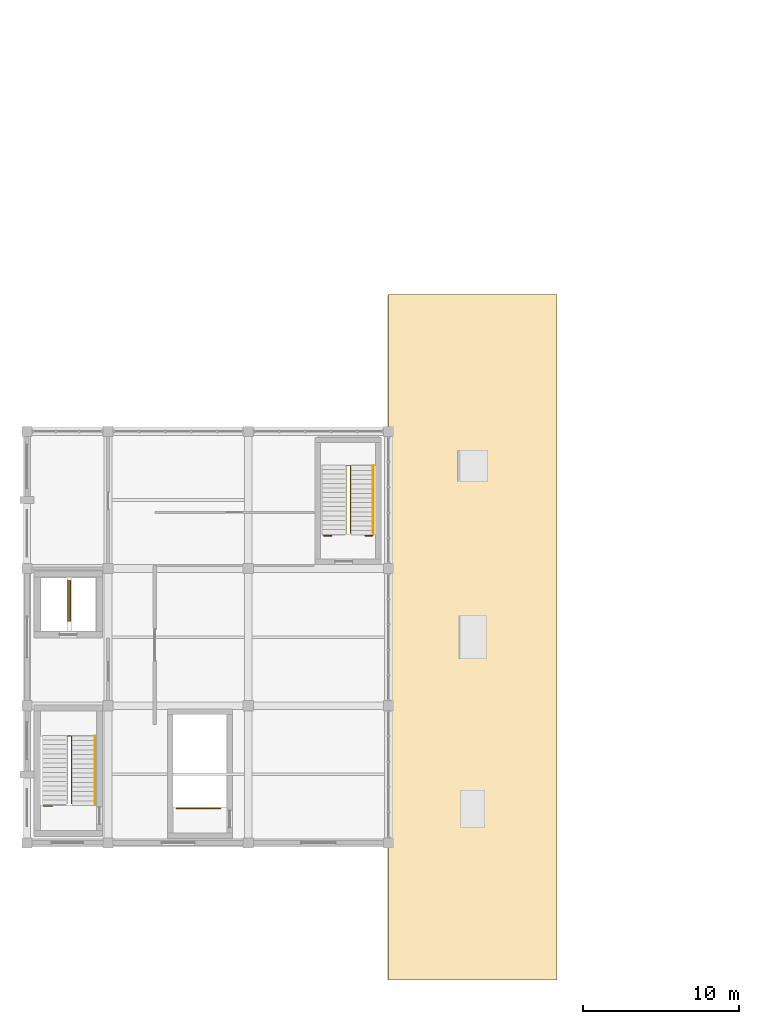
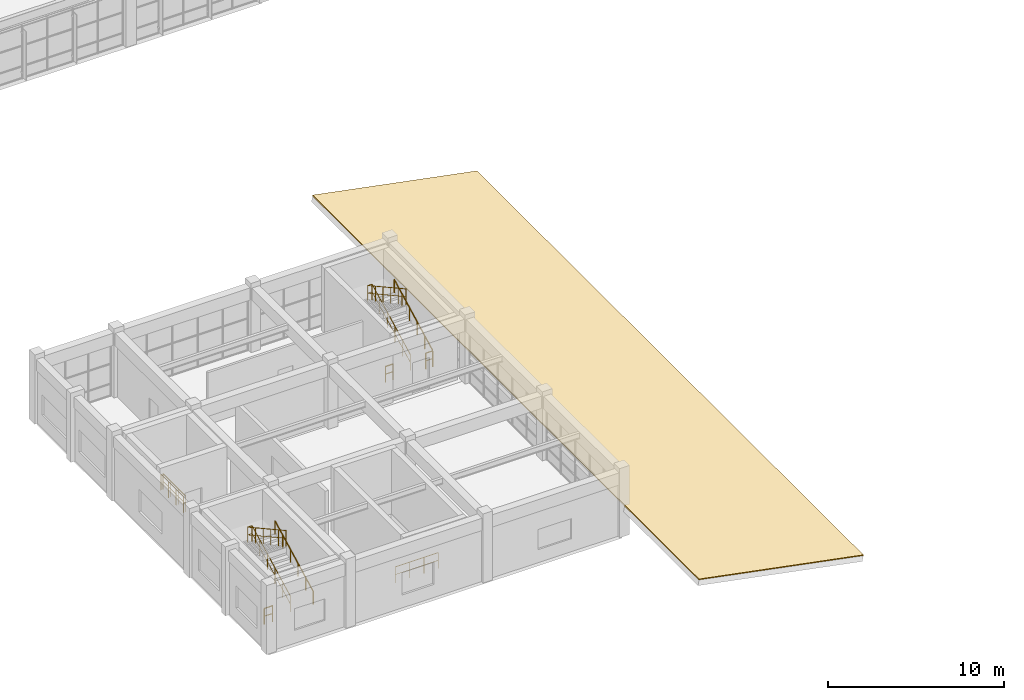
# One storey, part 92 of 99: 10 railings, 1 covering.
"""IFC4 building model written with IfcOpenShell, lengths in metres."""

from ifc_helpers import new_model, si_unit, direction, frame, origin, origin_2d, place, context, subcontext, project, spatial, polyline, circle, outline, extrude, material, layer, layer_set, type_object, element, save


model = new_model("IFC4")

# Units and contexts
model_context = context("Model", 3, precision=1e-05, world=origin(), true_north=direction((0.0, 1.0)))
body_context = subcontext(model_context, "Body", "Model", "MODEL_VIEW")
ifc_project = project(units=[si_unit("LENGTHUNIT", "METRE"), si_unit("AREAUNIT", "SQUARE_METRE"), si_unit("VOLUMEUNIT", "CUBIC_METRE"), si_unit("PLANEANGLEUNIT", "RADIAN"), si_unit("MASSUNIT", "GRAM", prefix="KILO")], contexts=[model_context])

# Site, building, storey
site_placement = place(None, origin())
site = spatial("IfcSite", under=ifc_project, at=site_placement, CompositionType="ELEMENT")
building_placement = place(site_placement, origin())
building = spatial("IfcBuilding", under=site, at=building_placement, Name="Ventoquebrada Cableway Terminal", CompositionType="ELEMENT")
storey_placement = place(building_placement, frame((0.0, 0.0, 9.60009765625)))
storey = spatial("IfcBuildingStorey", under=building, at=storey_placement, Name="L02", CompositionType="ELEMENT", Elevation=9.60009765625)

# Covering
ifc_material_1 = material(Name="Standing-seam zinc-titanium roofing")
ifc_layer = layer(ifc_material_1, 0.06005859375)
ifc_layer_set = layer_set([ifc_layer], Name="Standing-seam zinc-titanium roofing")
covering_type = type_object("IfcCoveringType", Name="COV-RF01", PredefinedType="ROOFING", material=ifc_layer_set)
covering_placement = place(storey_placement, frame((26.1884765625, 3.0, 2.10009765625), z_axis=(0.190791852358, 0.0, 0.981630515558), x_axis=(0.981630515558, 0.0, -0.190791852358)))
element("IfcCovering", 1, at=covering_placement, inside=storey, type_object=covering_type, Name="Standing-seam roof covering SL-104", PredefinedType="ROOFING", context=body_context, shape_type="SweptSolid", body=[
    extrude(outline(polyline([(0.0, 0.0), (11.00215270099949, 0.0), (11.00215270099949, 43.99999999999999), (0.0, 43.99999999999999), (0.0, 0.0)])), origin(), (0.0, 0.0, 1.0), 0.06005859375),
])

# Railings
ifc_material_2 = material(Name="Brushed stainless steel Grade 316", Category="steel")
railing_type_1 = type_object("IfcRailingType", Name="RL-GD01", PredefinedType="GUARDRAIL", material=ifc_material_2)
railing_1_placement = place(storey_placement, frame((5.860107421875, 14.300048828125, 0.14990234375)))
element("IfcRailing", 2, at=railing_1_placement, inside=storey, type_object=railing_type_1, Name="Stair well guardrail GR-S07", PredefinedType="GUARDRAIL", context=body_context, shape_type="SweptSolid", body=[
    extrude(circle(Radius=0.02392578125, at=origin_2d()), frame((0.0, 0.001708984375, 1.096923828125), z_axis=(0.0, 0.888211329745, 0.459435124596), x_axis=(-1.0, 0.0, 0.0)), (0.0, 0.0, 1.0), 4.893310546875),
    extrude(circle(Radius=0.01611328125, at=origin_2d()), frame((0.0, 0.001708984375, 0.56103515625), z_axis=(0.0, 0.888211329745, 0.459435124596), x_axis=(-1.0, 0.0, 0.0)), (0.0, 0.0, 1.0), 4.893310546875),
    extrude(circle(Radius=0.02392578125, at=origin_2d()), frame((-0.001953125, 4.349853515625, 3.34619140625), z_axis=(-1.0, 0.0, 0.0), x_axis=(0.0, -1.0, 0.0)), (0.0, 0.0, 1.0), 0.276123046875),
    extrude(circle(Radius=0.01611328125, at=origin_2d()), frame((-0.001953125, 4.349853515625, 2.81005859375), z_axis=(-1.0, 0.0, 0.0), x_axis=(0.0, -1.0, 0.0)), (0.0, 0.0, 1.0), 0.276123046875),
    extrude(circle(Radius=0.02392578125, at=origin_2d()), frame((-0.280029296875, 4.34814453125, 3.346923828125), z_axis=(0.0, -0.875579117544, 0.483074744652), x_axis=(1.0, 0.0, 0.0)), (0.0, 0.0, 1.0), 4.9638671875),
    extrude(circle(Radius=0.01611328125, at=origin_2d()), frame((-0.280029296875, 4.34814453125, 2.81103515625), z_axis=(0.0, -0.875579117544, 0.483074744652), x_axis=(1.0, 0.0, 0.0)), (0.0, 0.0, 1.0), 4.9638671875),
    extrude(circle(Radius=0.02099609375, at=origin_2d()), origin(), (0.0, 0.0, 1.0), 1.072021484375),
    extrude(circle(Radius=0.02099609375, at=origin_2d()), frame((0.0, 0.869873046875, 0.449951171875)), (0.0, 0.0, 1.0), 1.072021484375),
    extrude(circle(Radius=0.02099609375, at=origin_2d()), frame((0.0, 1.739990234375, 0.89990234375)), (0.0, 0.0, 1.0), 1.072021484375),
    extrude(circle(Radius=0.02099609375, at=origin_2d()), frame((0.0, 2.60986328125, 1.35009765625)), (0.0, 0.0, 1.0), 1.072021484375),
    extrude(circle(Radius=0.02099609375, at=origin_2d()), frame((0.0, 3.47998046875, 1.800048828125)), (0.0, 0.0, 1.0), 1.072021484375),
    extrude(circle(Radius=0.02099609375, at=origin_2d()), frame((0.0, 4.349853515625, 2.25)), (0.0, 0.0, 1.0), 1.072021484375),
    extrude(circle(Radius=0.02099609375, at=origin_2d()), frame((-0.280029296875, 4.349853515625, 2.25)), (0.0, 0.0, 1.0), 1.072021484375),
    extrude(circle(Radius=0.02099609375, at=origin_2d()), frame((-0.280029296875, 3.47998046875, 2.72998046875)), (0.0, 0.0, 1.0), 1.072021484375),
    extrude(circle(Radius=0.02099609375, at=origin_2d()), frame((-0.280029296875, 2.60986328125, 3.2099609375)), (0.0, 0.0, 1.0), 1.072021484375),
    extrude(circle(Radius=0.02099609375, at=origin_2d()), frame((-0.280029296875, 1.739990234375, 3.68994140625)), (0.0, 0.0, 1.0), 1.072021484375),
    extrude(circle(Radius=0.02099609375, at=origin_2d()), frame((-0.280029296875, 0.869873046875, 4.169921875)), (0.0, 0.0, 1.0), 1.072021484375),
    extrude(circle(Radius=0.02099609375, at=origin_2d()), frame((-0.280029296875, 0.0, 4.64990234375)), (0.0, 0.0, 1.0), 1.072021484375),
])
railing_2_placement = place(storey_placement, frame((23.760009765625, 31.64990234375, 0.14990234375)))
element("IfcRailing", 3, at=railing_2_placement, inside=storey, type_object=railing_type_1, Name="Stair well guardrail GR-S08", PredefinedType="GUARDRAIL", context=body_context, shape_type="SweptSolid", body=[
    extrude(circle(Radius=0.02392578125, at=origin_2d()), frame((0.0, 0.001708984375, 1.096923828125), z_axis=(0.0, 0.888221851817, 0.459414782038), x_axis=(-1.0, 0.0, 0.0)), (0.0, 0.0, 1.0), 4.8935546875),
    extrude(circle(Radius=0.01611328125, at=origin_2d()), frame((0.0, 0.001708984375, 0.56103515625), z_axis=(0.0, 0.888221851817, 0.459414782038), x_axis=(-1.0, 0.0, 0.0)), (0.0, 0.0, 1.0), 4.8935546875),
    extrude(circle(Radius=0.02392578125, at=origin_2d()), frame((-0.001953125, 4.35009765625, 3.34619140625), z_axis=(-1.0, 0.0, 0.0), x_axis=(0.0, -1.0, 0.0)), (0.0, 0.0, 1.0), 0.276123046875),
    extrude(circle(Radius=0.01611328125, at=origin_2d()), frame((-0.001953125, 4.35009765625, 2.81005859375), z_axis=(-1.0, 0.0, 0.0), x_axis=(0.0, -1.0, 0.0)), (0.0, 0.0, 1.0), 0.276123046875),
    extrude(circle(Radius=0.02392578125, at=origin_2d()), frame((-0.280029296875, 4.348388671875, 3.346923828125), z_axis=(0.0, -0.875590584852, 0.483053959428), x_axis=(1.0, 0.0, 0.0)), (0.0, 0.0, 1.0), 4.964111328125),
    extrude(circle(Radius=0.01611328125, at=origin_2d()), frame((-0.280029296875, 4.348388671875, 2.81103515625), z_axis=(0.0, -0.875590584852, 0.483053959428), x_axis=(1.0, 0.0, 0.0)), (0.0, 0.0, 1.0), 4.964111328125),
    extrude(circle(Radius=0.02099609375, at=origin_2d()), origin(), (0.0, 0.0, 1.0), 1.072021484375),
    extrude(circle(Radius=0.02099609375, at=origin_2d()), frame((0.0, 0.8701171875, 0.449951171875)), (0.0, 0.0, 1.0), 1.072021484375),
    extrude(circle(Radius=0.02099609375, at=origin_2d()), frame((0.0, 1.739990234375, 0.89990234375)), (0.0, 0.0, 1.0), 1.072021484375),
    extrude(circle(Radius=0.02099609375, at=origin_2d()), frame((0.0, 2.610107421875, 1.35009765625)), (0.0, 0.0, 1.0), 1.072021484375),
    extrude(circle(Radius=0.02099609375, at=origin_2d()), frame((0.0, 3.47998046875, 1.800048828125)), (0.0, 0.0, 1.0), 1.072021484375),
    extrude(circle(Radius=0.02099609375, at=origin_2d()), frame((0.0, 4.35009765625, 2.25)), (0.0, 0.0, 1.0), 1.072021484375),
    extrude(circle(Radius=0.02099609375, at=origin_2d()), frame((-0.280029296875, 4.35009765625, 2.25)), (0.0, 0.0, 1.0), 1.072021484375),
    extrude(circle(Radius=0.02099609375, at=origin_2d()), frame((-0.280029296875, 3.47998046875, 2.72998046875)), (0.0, 0.0, 1.0), 1.072021484375),
    extrude(circle(Radius=0.02099609375, at=origin_2d()), frame((-0.280029296875, 2.610107421875, 3.2099609375)), (0.0, 0.0, 1.0), 1.072021484375),
    extrude(circle(Radius=0.02099609375, at=origin_2d()), frame((-0.280029296875, 1.739990234375, 3.68994140625)), (0.0, 0.0, 1.0), 1.072021484375),
    extrude(circle(Radius=0.02099609375, at=origin_2d()), frame((-0.280029296875, 0.8701171875, 4.169921875)), (0.0, 0.0, 1.0), 1.072021484375),
    extrude(circle(Radius=0.02099609375, at=origin_2d()), frame((-0.280029296875, 0.0, 4.64990234375)), (0.0, 0.0, 1.0), 1.072021484375),
])
railing_3_placement = place(storey_placement, frame((22.044921875, 31.510009765625, 0.0)))
element("IfcRailing", 4, at=railing_3_placement, inside=storey, type_object=railing_type_1, Name="Open-edge guardrail GR-E119", PredefinedType="GUARDRAIL", context=body_context, shape_type="SweptSolid", body=[
    extrude(circle(Radius=0.02392578125, at=origin_2d()), frame((0.001953125, 0.0, 1.09619140625), z_axis=(1.0, 0.0, 0.0), x_axis=(0.0, 1.0, 0.0)), (0.0, 0.0, 1.0), 0.4912109375),
    extrude(circle(Radius=0.01611328125, at=origin_2d()), frame((0.001953125, 0.0, 0.56005859375), z_axis=(1.0, 0.0, 0.0), x_axis=(0.0, 1.0, 0.0)), (0.0, 0.0, 1.0), 0.4912109375),
    extrude(circle(Radius=0.02099609375, at=origin_2d()), origin(), (0.0, 0.0, 1.0), 1.072021484375),
    extrude(circle(Radius=0.02099609375, at=origin_2d()), frame((0.4951171875, 0.0, 0.0)), (0.0, 0.0, 1.0), 1.072021484375),
])
railing_4_placement = place(storey_placement, frame((24.699951171875, 31.510009765625, 0.0)))
element("IfcRailing", 5, at=railing_4_placement, inside=storey, type_object=railing_type_1, Name="Open-edge guardrail GR-E120", PredefinedType="GUARDRAIL", context=body_context, shape_type="SweptSolid", body=[
    extrude(circle(Radius=0.02392578125, at=origin_2d()), frame((0.001953125, 0.0, 1.09619140625), z_axis=(1.0, 0.0, 0.0), x_axis=(0.0, 1.0, 0.0)), (0.0, 0.0, 1.0), 0.451171875),
    extrude(circle(Radius=0.01611328125, at=origin_2d()), frame((0.001953125, 0.0, 0.56005859375), z_axis=(1.0, 0.0, 0.0), x_axis=(0.0, 1.0, 0.0)), (0.0, 0.0, 1.0), 0.451171875),
    extrude(circle(Radius=0.02099609375, at=origin_2d()), origin(), (0.0, 0.0, 1.0), 1.072021484375),
    extrude(circle(Radius=0.02099609375, at=origin_2d()), frame((0.455078125, 0.0, 0.0)), (0.0, 0.0, 1.0), 1.072021484375),
])
railing_5_placement = place(storey_placement, frame((12.594970703125, 14.010009765625, 0.0)))
element("IfcRailing", 6, at=railing_5_placement, inside=storey, type_object=railing_type_1, Name="Open-edge guardrail GR-E121", PredefinedType="GUARDRAIL", context=body_context, shape_type="SweptSolid", body=[
    extrude(circle(Radius=0.02392578125, at=origin_2d()), frame((0.001953125, 0.0, 1.09619140625), z_axis=(1.0, 0.0, 0.0), x_axis=(0.0, 1.0, 0.0)), (0.0, 0.0, 1.0), 2.818115234375),
    extrude(circle(Radius=0.01611328125, at=origin_2d()), frame((0.001953125, 0.0, 0.56005859375), z_axis=(1.0, 0.0, 0.0), x_axis=(0.0, 1.0, 0.0)), (0.0, 0.0, 1.0), 2.818115234375),
    extrude(circle(Radius=0.02099609375, at=origin_2d()), origin(), (0.0, 0.0, 1.0), 1.072021484375),
    extrude(circle(Radius=0.02099609375, at=origin_2d()), frame((0.940673828125, 0.0, 0.0)), (0.0, 0.0, 1.0), 1.072021484375),
    extrude(circle(Radius=0.02099609375, at=origin_2d()), frame((1.88134765625, 0.0, 0.0)), (0.0, 0.0, 1.0), 1.072021484375),
    extrude(circle(Radius=0.02099609375, at=origin_2d()), frame((2.822021484375, 0.0, 0.0)), (0.0, 0.0, 1.0), 1.072021484375),
])
railing_6_placement = place(storey_placement, frame((4.070068359375, 14.159912109375, 0.0)))
element("IfcRailing", 7, at=railing_6_placement, inside=storey, type_object=railing_type_1, Name="Open-edge guardrail GR-E122", PredefinedType="GUARDRAIL", context=body_context, shape_type="SweptSolid", body=[
    extrude(circle(Radius=0.02392578125, at=origin_2d()), frame((0.001953125, 0.0, 1.09619140625), z_axis=(1.0, 0.0, 0.0), x_axis=(0.0, 1.0, 0.0)), (0.0, 0.0, 1.0), 0.541015625),
    extrude(circle(Radius=0.01611328125, at=origin_2d()), frame((0.001953125, 0.0, 0.56005859375), z_axis=(1.0, 0.0, 0.0), x_axis=(0.0, 1.0, 0.0)), (0.0, 0.0, 1.0), 0.541015625),
    extrude(circle(Radius=0.02099609375, at=origin_2d()), origin(), (0.0, 0.0, 1.0), 1.072021484375),
    extrude(circle(Radius=0.02099609375, at=origin_2d()), frame((0.544921875, 0.0, 0.0)), (0.0, 0.0, 1.0), 1.072021484375),
])
railing_7_placement = place(storey_placement, frame((5.77001953125, 28.6298828125, 0.0)))
element("IfcRailing", 8, at=railing_7_placement, inside=storey, type_object=railing_type_1, Name="Open-edge guardrail GR-E123", PredefinedType="GUARDRAIL", context=body_context, shape_type="SweptSolid", body=[
    extrude(circle(Radius=0.02392578125, at=origin_2d()), frame((0.0, -0.001953125, 1.09619140625), z_axis=(0.0, -1.0, 0.0), x_axis=(1.0, 0.0, 0.0)), (0.0, 0.0, 1.0), 2.5849609375),
    extrude(circle(Radius=0.01611328125, at=origin_2d()), frame((0.0, -0.001953125, 0.56005859375), z_axis=(0.0, -1.0, 0.0), x_axis=(1.0, 0.0, 0.0)), (0.0, 0.0, 1.0), 2.5849609375),
    extrude(circle(Radius=0.02099609375, at=origin_2d()), origin(), (0.0, 0.0, 1.0), 1.072021484375),
    extrude(circle(Radius=0.02099609375, at=origin_2d()), frame((0.0, -0.863037109375, 0.0)), (0.0, 0.0, 1.0), 1.072021484375),
    extrude(circle(Radius=0.02099609375, at=origin_2d()), frame((0.0, -1.725830078125, 0.0)), (0.0, 0.0, 1.0), 1.072021484375),
    extrude(circle(Radius=0.02099609375, at=origin_2d()), frame((0.0, -2.5888671875, 0.0)), (0.0, 0.0, 1.0), 1.072021484375),
])
railing_8_placement = place(storey_placement, frame((5.6298828125, 26.049072265625, 0.0)))
element("IfcRailing", 9, at=railing_8_placement, inside=storey, type_object=railing_type_1, Name="Open-edge guardrail GR-E124", PredefinedType="GUARDRAIL", context=body_context, shape_type="SweptSolid", body=[
    extrude(circle(Radius=0.02392578125, at=origin_2d()), frame((0.0, 0.001953125, 1.09619140625), z_axis=(0.0, 1.0, 0.0), x_axis=(-1.0, 0.0, 0.0)), (0.0, 0.0, 1.0), 2.576904296875),
    extrude(circle(Radius=0.01611328125, at=origin_2d()), frame((0.0, 0.001953125, 0.56005859375), z_axis=(0.0, 1.0, 0.0), x_axis=(-1.0, 0.0, 0.0)), (0.0, 0.0, 1.0), 2.576904296875),
    extrude(circle(Radius=0.02099609375, at=origin_2d()), origin(), (0.0, 0.0, 1.0), 1.072021484375),
    extrude(circle(Radius=0.02099609375, at=origin_2d()), frame((0.0, 0.8603515625, 0.0)), (0.0, 0.0, 1.0), 1.072021484375),
    extrude(circle(Radius=0.02099609375, at=origin_2d()), frame((0.0, 1.720458984375, 0.0)), (0.0, 0.0, 1.0), 1.072021484375),
    extrude(circle(Radius=0.02099609375, at=origin_2d()), frame((0.0, 2.580810546875, 0.0)), (0.0, 0.0, 1.0), 1.072021484375),
])
railing_type_2 = type_object("IfcRailingType", Name="RL-HR01", PredefinedType="HANDRAIL", material=ifc_material_2)
railing_9_placement = place(storey_placement, frame((7.3701171875, 14.300048828125, 0.14990234375)))
element("IfcRailing", 10, at=railing_9_placement, inside=storey, type_object=railing_type_2, Name="Stair wall handrail HR-S07", PredefinedType="HANDRAIL", context=body_context, shape_type="SweptSolid", body=[
    extrude(circle(Radius=0.02392578125, at=origin_2d()), frame((0.0, 0.001708984375, 0.896728515625), z_axis=(0.0, 0.888211329745, 0.459435124596), x_axis=(-1.0, 0.0, 0.0)), (0.0, 0.0, 1.0), 4.893310546875),
    extrude(circle(Radius=0.02099609375, at=origin_2d()), origin(), (0.0, 0.0, 1.0), 0.871826171875),
    extrude(circle(Radius=0.02099609375, at=origin_2d()), frame((0.0, 0.869873046875, 0.449951171875)), (0.0, 0.0, 1.0), 0.871826171875),
    extrude(circle(Radius=0.02099609375, at=origin_2d()), frame((0.0, 1.739990234375, 0.89990234375)), (0.0, 0.0, 1.0), 0.871826171875),
    extrude(circle(Radius=0.02099609375, at=origin_2d()), frame((0.0, 2.60986328125, 1.35009765625)), (0.0, 0.0, 1.0), 0.871826171875),
    extrude(circle(Radius=0.02099609375, at=origin_2d()), frame((0.0, 3.47998046875, 1.800048828125)), (0.0, 0.0, 1.0), 0.871826171875),
    extrude(circle(Radius=0.02099609375, at=origin_2d()), frame((0.0, 4.349853515625, 2.25)), (0.0, 0.0, 1.0), 0.871826171875),
])
railing_10_placement = place(storey_placement, frame((25.219970703125, 31.64990234375, 0.14990234375)))
element("IfcRailing", 11, at=railing_10_placement, inside=storey, type_object=railing_type_2, Name="Stair wall handrail HR-S08", PredefinedType="HANDRAIL", context=body_context, shape_type="SweptSolid", body=[
    extrude(circle(Radius=0.02392578125, at=origin_2d()), frame((0.0, 0.001708984375, 0.896728515625), z_axis=(0.0, 0.888221851817, 0.459414782038), x_axis=(-1.0, 0.0, 0.0)), (0.0, 0.0, 1.0), 4.8935546875),
    extrude(circle(Radius=0.02099609375, at=origin_2d()), origin(), (0.0, 0.0, 1.0), 0.871826171875),
    extrude(circle(Radius=0.02099609375, at=origin_2d()), frame((0.0, 0.8701171875, 0.449951171875)), (0.0, 0.0, 1.0), 0.871826171875),
    extrude(circle(Radius=0.02099609375, at=origin_2d()), frame((0.0, 1.739990234375, 0.89990234375)), (0.0, 0.0, 1.0), 0.871826171875),
    extrude(circle(Radius=0.02099609375, at=origin_2d()), frame((0.0, 2.610107421875, 1.35009765625)), (0.0, 0.0, 1.0), 0.871826171875),
    extrude(circle(Radius=0.02099609375, at=origin_2d()), frame((0.0, 3.47998046875, 1.800048828125)), (0.0, 0.0, 1.0), 0.871826171875),
    extrude(circle(Radius=0.02099609375, at=origin_2d()), frame((0.0, 4.35009765625, 2.25)), (0.0, 0.0, 1.0), 0.871826171875),
])

save(model, "model.ifc")
